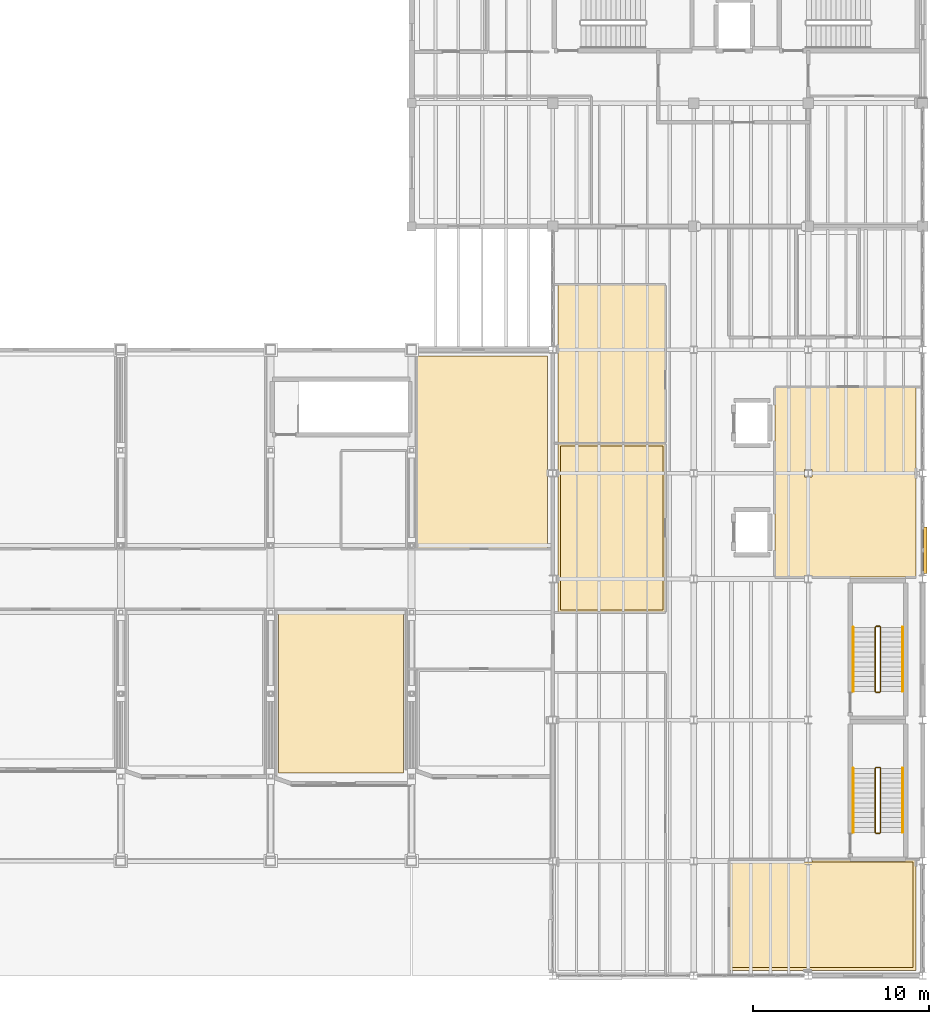
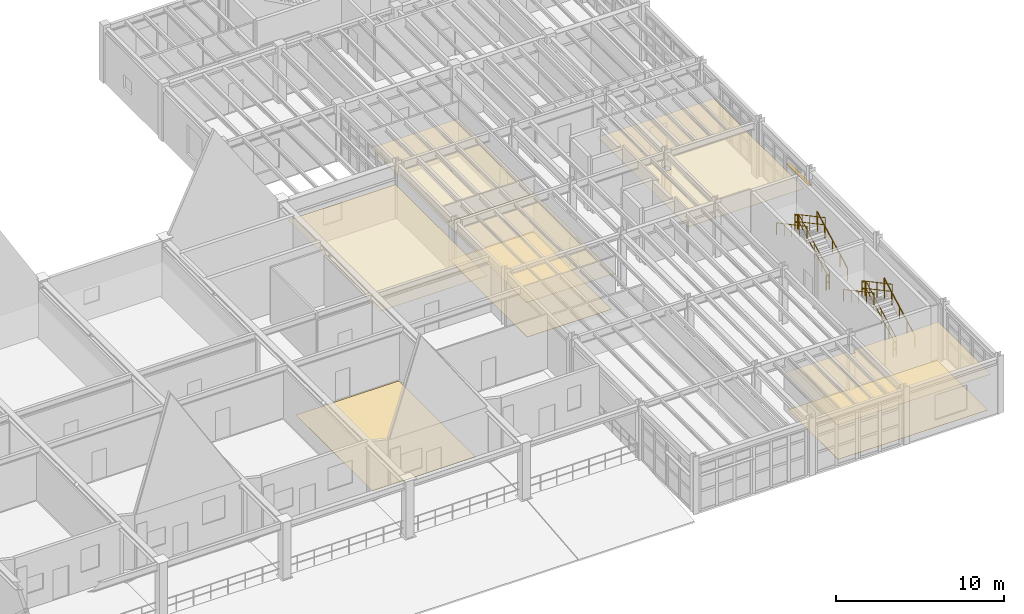
# One storey, part 77 of 78: 12 railings, 8 coverings, 1 shading device.
"""IFC4 building model written with IfcOpenShell, lengths in metres."""

import ifcopenshell
import ifcopenshell.guid

model = None  # the IFC model being written
_history = None  # IfcOwnerHistory: only IFC2X3 demands one
_inside = {}  # id of a spatial element -> (the spatial element, [elements in it])
_under = {}  # id of a project, library or spatial element -> (it, [spatial elements below it])
_declared = {}  # id of a project -> (the project, [libraries it declares])
_typed = {}  # id of a type object -> (the type object, [elements of that type])
_made_of = {}  # id of a material, layer set ... -> (it, [elements and type objects made of it])


def new_model(schema):
    """Start an empty IFC model of exactly this schema.

    Asked for "IFC4X3", IfcOpenShell would pick the latest addendum, in which some entities
    have other attributes; the version numbers below select the first issue.
    IFC2X3 requires an IfcOwnerHistory on every rooted entity: one is made here for all.
    """
    global model, _history
    if schema == "IFC4X3":
        model = ifcopenshell.file(schema_version=(4, 3, 0, 0))
    else:
        model = ifcopenshell.file(schema=schema)
    _inside.clear()
    _under.clear()
    _declared.clear()
    _typed.clear()
    _made_of.clear()
    _history = None
    if model.schema == "IFC2X3":
        org = make("IfcOrganization", Name="unknown")
        user = make(
            "IfcPersonAndOrganization",
            ThePerson=make("IfcPerson", FamilyName="unknown"),
            TheOrganization=org,
        )
        app = make(
            "IfcApplication",
            ApplicationDeveloper=org,
            Version="unknown",
            ApplicationFullName="unknown",
            ApplicationIdentifier="unknown",
        )
        _history = make(
            "IfcOwnerHistory",
            OwningUser=user,
            OwningApplication=app,
            ChangeAction="ADDED",
            CreationDate=0,
        )
    return model


def make(cls, **values):
    """One entity of the class cls with the attributes given. An attribute that is None is left unset."""
    return model.create_entity(
        cls, **{name: value for name, value in values.items() if value is not None}
    )


def rooted(cls, **values):
    """An entity with a GlobalId (a new one), such as an element, a storey or a relation."""
    return make(cls, GlobalId=ifcopenshell.guid.new(), OwnerHistory=_history, **values)


def si_unit(unit_type, name, prefix=None):
    """IfcSIUnit, for example si_unit("LENGTHUNIT", "METRE", prefix="MILLI")."""
    return make("IfcSIUnit", UnitType=unit_type, Prefix=prefix, Name=name)


def assignment(units):
    """IfcUnitAssignment: the units of a project."""
    return None if units is None else make("IfcUnitAssignment", Units=units)


def point(xyz):
    """IfcCartesianPoint."""
    return None if xyz is None else make("IfcCartesianPoint", Coordinates=xyz)


def direction(xyz):
    """IfcDirection."""
    return None if xyz is None else make("IfcDirection", DirectionRatios=xyz)


def frame(location, z_axis=None, x_axis=None):
    """IfcAxis2Placement3D, a coordinate frame: its origin and axes. An axis left out is left unset."""
    return make(
        "IfcAxis2Placement3D",
        Location=point(location),
        Axis=direction(z_axis),
        RefDirection=direction(x_axis),
    )


def frame_2d(location, x_axis=None):
    """IfcAxis2Placement2D, a coordinate frame in the plane: its origin and x axis."""
    return make(
        "IfcAxis2Placement2D", Location=point(location), RefDirection=direction(x_axis)
    )


def origin():
    """The frame at (0, 0, 0) with its axes left unset."""
    return frame((0.0, 0.0, 0.0))


def origin_2d():
    """The frame at (0, 0) in the plane with its x axis left unset."""
    return frame_2d((0.0, 0.0))


def place(relative_to, where):
    """IfcLocalPlacement: puts the frame where relative to a parent placement (None: the world)."""
    return make(
        "IfcLocalPlacement", PlacementRelTo=relative_to, RelativePlacement=where
    )


def context(
    kind, dimensions, precision=None, world=None, true_north=None, identifier=None
):
    """IfcGeometricRepresentationContext, for example the 3D "Model" context."""
    return make(
        "IfcGeometricRepresentationContext",
        ContextIdentifier=identifier,
        ContextType=kind,
        CoordinateSpaceDimension=dimensions,
        Precision=precision,
        WorldCoordinateSystem=world,
        TrueNorth=true_north,
    )


def subcontext(parent, identifier, kind, view, scale=None):
    """IfcGeometricRepresentationSubContext, for example "Body" below "Model"."""
    return make(
        "IfcGeometricRepresentationSubContext",
        ContextIdentifier=identifier,
        ContextType=kind,
        ParentContext=parent,
        TargetScale=scale,
        TargetView=view,
    )


def project(units=None, contexts=None):
    """IfcProject with its units and contexts."""
    return rooted(
        "IfcProject",
        Name="project",
        RepresentationContexts=contexts,
        UnitsInContext=assignment(units),
    )


def spatial(cls, under=None, at=None, **own):
    """A site, building, storey or space (cls), placed at a placement, below another one or the project."""
    s = rooted(cls, ObjectPlacement=at, **own)
    if under is not None:
        _under.setdefault(under.id(), (under, []))[1].append(s)
    return s


def polyline(points):
    """IfcPolyline through the points."""
    return make("IfcPolyline", Points=[point(p) for p in points])


def profile(cls, at=None, kind="AREA", **sizes):
    """A parametric profile (cls). Its sizes go by their IFC names, for example OverallWidth=200.0."""
    return make(cls, ProfileType=kind, Position=at, **sizes)


def rectangle(**sizes):
    """IfcRectangleProfileDef."""
    return profile("IfcRectangleProfileDef", **sizes)


def circle(**sizes):
    """IfcCircleProfileDef."""
    return profile("IfcCircleProfileDef", **sizes)


def outline(outer, holes=None, kind="AREA"):
    """IfcArbitraryClosedProfileDef: a profile drawn as a closed curve; with holes, ...WithVoids."""
    if holes is None:
        return make("IfcArbitraryClosedProfileDef", ProfileType=kind, OuterCurve=outer)
    return make(
        "IfcArbitraryProfileDefWithVoids",
        ProfileType=kind,
        OuterCurve=outer,
        InnerCurves=holes,
    )


def extrude(swept, where, along, depth):
    """IfcExtrudedAreaSolid: the profile swept, set in the frame where, extruded along a direction by depth."""
    return make(
        "IfcExtrudedAreaSolid",
        SweptArea=swept,
        Position=where,
        ExtrudedDirection=direction(along),
        Depth=depth,
    )


def shape(context_of_items, identifier, shape_type, items):
    """IfcShapeRepresentation: the items that make up one representation, for example the "Body"."""
    return make(
        "IfcShapeRepresentation",
        ContextOfItems=context_of_items,
        RepresentationIdentifier=identifier,
        RepresentationType=shape_type,
        Items=items,
    )


def material(Name=None, Category=None):
    """IfcMaterial."""
    return make("IfcMaterial", Name=Name, Category=Category)


def layer(
    of_material, thickness, ventilated=None, Name=None, Category=None, Priority=None
):
    """IfcMaterialLayer: one layer of a wall or slab, of a material (None: an air gap)."""
    return make(
        "IfcMaterialLayer",
        Material=of_material,
        LayerThickness=thickness,
        IsVentilated=ventilated,
        Name=Name,
        Category=Category,
        Priority=Priority,
    )


def layer_set(layers, Name=None):
    """IfcMaterialLayerSet."""
    return make("IfcMaterialLayerSet", MaterialLayers=layers, LayerSetName=Name)


def made_of(thing, what):
    """Note that an element or type object is made of a material, layer set ...; save() writes the relation."""
    if what is not None:
        _made_of.setdefault(what.id(), (what, []))[1].append(thing)
    return thing


def type_object(cls, material=None, **own):
    """A type object (cls), such as IfcWallType, which elements share."""
    return made_of(rooted(cls, **own), material)


def element(
    cls,
    number,
    at=None,
    inside=None,
    cuts=None,
    type_object=None,
    material=None,
    context=None,
    identifier="Body",
    shape_type=None,
    held_by="IfcProductDefinitionShape",
    body=None,
    shapes=None,
    **own,
):
    """One element of the class cls, such as IfcWall. Its Tag is "e" and its number.

    at: its placement. inside: the storey or other place that contains it. cuts: it is an
    opening in that element (IfcRelVoidsElement). A single representation is given by context,
    identifier, shape_type and body (its items); several are given by shapes. held_by: the class
    of the entity that holds the representations. save() writes the other relations.
    """
    e = rooted(cls, Tag="e%d" % number, ObjectPlacement=at, **own)
    if body is not None:
        shapes = [shape(context, identifier, shape_type, body)]
    if shapes is not None:
        e.Representation = make(held_by, Representations=shapes)
    if inside is not None:
        _inside.setdefault(inside.id(), (inside, []))[1].append(e)
    if cuts is not None:
        rooted(
            "IfcRelVoidsElement", RelatingBuildingElement=cuts, RelatedOpeningElement=e
        )
    if type_object is not None:
        _typed.setdefault(type_object.id(), (type_object, []))[1].append(e)
    return made_of(e, material)


def aggregate(whole, parts):
    """IfcRelAggregates: a whole, such as a stair, and the parts it consists of."""
    return rooted("IfcRelAggregates", RelatingObject=whole, RelatedObjects=parts)


def save(model, path):
    """Write the relations noted so far, then the file.

    IfcRelAggregates (storeys below a building ...), IfcRelContainedInSpatialStructure (elements
    in a storey), IfcRelDefinesByType, IfcRelAssociatesMaterial and IfcRelDeclares: one each for
    every whole, place, type object, material and project.
    """
    for whole, parts in _under.values():
        aggregate(whole, parts)
    for where, things in _inside.values():
        rooted(
            "IfcRelContainedInSpatialStructure",
            RelatedElements=things,
            RelatingStructure=where,
        )
    for kind, things in _typed.values():
        rooted("IfcRelDefinesByType", RelatedObjects=things, RelatingType=kind)
    for what, things in _made_of.values():
        rooted("IfcRelAssociatesMaterial", RelatedObjects=things, RelatingMaterial=what)
    for by, libraries in _declared.values():
        rooted("IfcRelDeclares", RelatingContext=by, RelatedDefinitions=libraries)
    model.write(path)


model = new_model("IFC4")

# Units and contexts
model_context = context("Model", 3, precision=1e-05, world=origin(), true_north=direction((0.0, 1.0)))
body_context = subcontext(model_context, "Body", "Model", "MODEL_VIEW")
ifc_project = project(units=[si_unit("LENGTHUNIT", "METRE"), si_unit("AREAUNIT", "SQUARE_METRE"), si_unit("VOLUMEUNIT", "CUBIC_METRE"), si_unit("PLANEANGLEUNIT", "RADIAN"), si_unit("MASSUNIT", "GRAM", prefix="KILO"), si_unit("THERMODYNAMICTEMPERATUREUNIT", "KELVIN"), si_unit("POWERUNIT", "WATT")], contexts=[model_context])

# Site, building, storey
site_placement = place(None, origin())
site = spatial("IfcSite", under=ifc_project, at=site_placement, CompositionType="ELEMENT")
building_placement = place(site_placement, origin())
building = spatial("IfcBuilding", under=site, at=building_placement, Name="Zhenchuan Central Fire Station", CompositionType="ELEMENT")
storey_placement = place(building_placement, frame((0.0, 0.0, 5.85009765625)))
storey = spatial("IfcBuildingStorey", under=building, at=storey_placement, Name="L02", CompositionType="ELEMENT", Elevation=5.85009765625)

# Coverings
ifc_material_1 = material(Name="Gypsum plasterboard acoustic ceiling", Category="gypsum")
ifc_layer_1 = layer(ifc_material_1, 0.01806640625, Name="Gypsum plasterboard acoustic ceiling", Category="gypsum")
ifc_layer_set_1 = layer_set([ifc_layer_1], Name="Gypsum plasterboard acoustic ceiling")
covering_type_1 = type_object("IfcCoveringType", Name="COV-CEIL-GYP", PredefinedType="CEILING", material=ifc_layer_set_1)
covering_1_placement = place(storey_placement, frame((0.0, 0.0, 2.64990234375)))
element("IfcCovering", 1, at=covering_1_placement, inside=storey, type_object=covering_type_1, Name="Duty Platoon Office Acoustic Ceiling", PredefinedType="CEILING", context=body_context, shape_type="SweptSolid", body=[
    extrude(outline(polyline([(132.300048828125, 24.199951171875), (132.300048828125, 35.14990234375), (139.699951171875, 35.14990234375), (139.699951171875, 24.199951171875), (132.300048828125, 24.199951171875)])), origin(), (0.0, 0.0, 1.0), 0.01806640625),
])
covering_2_placement = place(storey_placement, frame((0.0, 0.0, 2.64990234375)))
element("IfcCovering", 2, at=covering_2_placement, inside=storey, type_object=covering_type_1, Name="Operations Planning Office Acoustic Ceiling", PredefinedType="CEILING", context=body_context, shape_type="SweptSolid", body=[
    extrude(outline(polyline([(140.300048828125, 20.60009765625), (140.300048828125, 30.199951171875), (146.39990234375, 30.199951171875), (146.39990234375, 20.60009765625), (140.300048828125, 20.60009765625)])), origin(), (0.0, 0.0, 1.0), 0.01806640625),
])
covering_3_placement = place(storey_placement, frame((0.0, 0.0, 2.64990234375)))
element("IfcCovering", 3, at=covering_3_placement, inside=storey, type_object=covering_type_1, Name="Logistics and Fleet Management Office Acoustic Ceiling", PredefinedType="CEILING", context=body_context, shape_type="SweptSolid", body=[
    extrude(outline(polyline([(140.300048828125, 30.199951171875), (140.300048828125, 39.199951171875), (146.39990234375, 39.199951171875), (146.39990234375, 30.199951171875), (140.300048828125, 30.199951171875)])), origin(), (0.0, 0.0, 1.0), 0.01806640625),
])
covering_4_placement = place(storey_placement, frame((0.0, 0.0, 2.64990234375)))
element("IfcCovering", 4, at=covering_4_placement, inside=storey, type_object=covering_type_1, Name="Personnel and Finance Office Acoustic Ceiling", PredefinedType="CEILING", context=body_context, shape_type="SweptSolid", body=[
    extrude(outline(polyline([(160.60009765625, 6.60009765625), (160.60009765625, 0.300048828125), (150.0, 0.300048828125), (150.0, 6.60009765625), (154.294921875, 6.60009765625), (154.294921875, 6.294921875), (154.705078125, 6.294921875), (154.705078125, 6.60009765625), (160.60009765625, 6.60009765625)])), origin(), (0.0, 0.0, 1.0), 0.01806640625),
])
covering_5_placement = place(storey_placement, frame((0.0, 0.0, 2.64990234375)))
element("IfcCovering", 5, at=covering_5_placement, inside=storey, type_object=covering_type_1, Name="Staff Briefing Room Acoustic Ceiling", PredefinedType="CEILING", context=body_context, shape_type="SweptSolid", body=[
    extrude(outline(polyline([(152.60009765625, 22.60009765625), (152.60009765625, 33.39990234375), (160.60009765625, 33.39990234375), (160.60009765625, 22.60009765625), (154.705078125, 22.60009765625), (154.705078125, 22.705078125), (154.294921875, 22.705078125), (154.294921875, 22.60009765625), (152.60009765625, 22.60009765625)]), holes=[polyline([(154.705078125, 28.294921875), (154.705078125, 28.705078125), (154.294921875, 28.705078125), (154.294921875, 28.294921875), (154.705078125, 28.294921875)])]), origin(), (0.0, 0.0, 1.0), 0.01806640625),
])
ifc_material_2 = material(Name="Heavy-duty slip-resistant ceramic tile flooring")
ifc_layer_2 = layer(ifc_material_2, 0.014892578125, Name="Heavy-duty slip-resistant ceramic tile flooring")
ifc_layer_set_2 = layer_set([ifc_layer_2], Name="Heavy-duty slip-resistant ceramic tile flooring")
covering_type_2 = type_object("IfcCoveringType", Name="COV-FLR-RES", PredefinedType="FLOORING", material=ifc_layer_set_2)
covering_6_placement = place(storey_placement, origin())
element("IfcCovering", 6, at=covering_6_placement, inside=storey, type_object=covering_type_2, Name="Swiftwater Rescue Gear Room Ceramic Tile Flooring", PredefinedType="FLOORING", context=body_context, shape_type="SweptSolid", body=[
    extrude(outline(polyline([(124.449951171875, 11.5), (131.550048828125, 11.5), (131.550048828125, 20.64990234375), (124.449951171875, 20.64990234375), (124.449951171875, 11.5)])), origin(), (0.0, 0.0, 1.0), 0.014892578125),
])
covering_7_placement = place(storey_placement, origin())
element("IfcCovering", 7, at=covering_7_placement, inside=storey, type_object=covering_type_2, Name="Operations Planning Office Ceramic Tile Flooring", PredefinedType="FLOORING", context=body_context, shape_type="SweptSolid", body=[
    extrude(outline(polyline([(140.449951171875, 20.75), (146.25, 20.75), (146.25, 30.050048828125), (140.449951171875, 30.050048828125), (140.449951171875, 20.75)])), origin(), (0.0, 0.0, 1.0), 0.014892578125),
])
covering_8_placement = place(storey_placement, origin())
element("IfcCovering", 8, at=covering_8_placement, inside=storey, type_object=covering_type_2, Name="Personnel and Finance Office Ceramic Tile Flooring", PredefinedType="FLOORING", context=body_context, shape_type="SweptSolid", body=[
    extrude(outline(polyline([(150.14990234375, 0.449951171875), (160.449951171875, 0.449951171875), (160.449951171875, 6.449951171875), (150.14990234375, 6.449951171875), (150.14990234375, 0.449951171875)])), origin(), (0.0, 0.0, 1.0), 0.014892578125),
])

# Railings
ifc_material_3 = material(Name="Galvanised powder-coated steel", Category="steel")
railing_type_1 = type_object("IfcRailingType", Name="RL-ST-GRD", PredefinedType="GUARDRAIL", material=ifc_material_3)
railing_1_placement = place(storey_placement, frame((158.60009765625, 8.1201171875, 0.14990234375)))
element("IfcRailing", 9, at=railing_1_placement, inside=storey, type_object=railing_type_1, Name="L02 ST-10 stair guard 1", PredefinedType="GUARDRAIL", context=body_context, shape_type="SweptSolid", body=[
    extrude(circle(Radius=0.02392578125, at=origin_2d()), frame((0.0, 0.0, 1.076171875), z_axis=(0.0, 0.881479091078, 0.472223053219), x_axis=(-1.0, 0.0, 0.0)), (0.0, 0.0, 1.0), 4.12939453125),
    extrude(circle(Radius=0.02392578125, at=origin_2d()), frame((0.0, 0.0, 0.550048828125), z_axis=(0.0, 0.881479091078, 0.472223053219), x_axis=(-1.0, 0.0, 0.0)), (0.0, 0.0, 1.0), 4.12939453125),
    extrude(circle(Radius=0.02099609375, at=origin_2d()), origin(), (0.0, 0.0, 1.0), 1.052001953125),
    extrude(circle(Radius=0.02099609375, at=origin_2d()), frame((0.0, 0.909912109375, 0.487548828125)), (0.0, 0.0, 1.0), 1.052001953125),
    extrude(circle(Radius=0.02099609375, at=origin_2d()), frame((0.0, 1.81982421875, 0.97509765625)), (0.0, 0.0, 1.0), 1.052001953125),
    extrude(circle(Radius=0.02099609375, at=origin_2d()), frame((0.0, 2.72998046875, 1.46240234375)), (0.0, 0.0, 1.0), 1.052001953125),
    extrude(circle(Radius=0.02099609375, at=origin_2d()), frame((0.0, 3.639892578125, 1.949951171875)), (0.0, 0.0, 1.0), 1.052001953125),
])
railing_2_placement = place(storey_placement, frame((158.550048828125, 11.81005859375, 2.099853515625)))
element("IfcRailing", 10, at=railing_2_placement, inside=storey, type_object=railing_type_1, Name="L02 ST-10 stair guard 2", PredefinedType="GUARDRAIL", context=body_context, shape_type="SweptSolid", body=[
    extrude(circle(Radius=0.02392578125, at=origin_2d()), frame((0.0, 0.0, 1.076171875), z_axis=(-1.0, 0.0, 0.0), x_axis=(0.0, -1.0, 0.0)), (0.0, 0.0, 1.0), 0.199951171875),
    extrude(circle(Radius=0.02392578125, at=origin_2d()), frame((0.0, 0.0, 0.550048828125), z_axis=(-1.0, 0.0, 0.0), x_axis=(0.0, -1.0, 0.0)), (0.0, 0.0, 1.0), 0.199951171875),
    extrude(circle(Radius=0.02099609375, at=origin_2d()), origin(), (0.0, 0.0, 1.0), 1.052001953125),
    extrude(circle(Radius=0.02099609375, at=origin_2d()), frame((-0.199951171875, 0.0, 0.0)), (0.0, 0.0, 1.0), 1.052001953125),
])
railing_3_placement = place(storey_placement, frame((158.300048828125, 11.760009765625, 2.25)))
element("IfcRailing", 11, at=railing_3_placement, inside=storey, type_object=railing_type_1, Name="L02 ST-10 stair guard 3", PredefinedType="GUARDRAIL", context=body_context, shape_type="SweptSolid", body=[
    extrude(circle(Radius=0.02392578125, at=origin_2d()), frame((0.0, 0.0, 1.076171875), z_axis=(0.0, -0.881479091078, 0.472223053219), x_axis=(1.0, 0.0, 0.0)), (0.0, 0.0, 1.0), 4.12939453125),
    extrude(circle(Radius=0.02392578125, at=origin_2d()), frame((0.0, 0.0, 0.550048828125), z_axis=(0.0, -0.881479091078, 0.472223053219), x_axis=(1.0, 0.0, 0.0)), (0.0, 0.0, 1.0), 4.12939453125),
    extrude(circle(Radius=0.02099609375, at=origin_2d()), origin(), (0.0, 0.0, 1.0), 1.052001953125),
    extrude(circle(Radius=0.02099609375, at=origin_2d()), frame((0.0, -0.909912109375, 0.487548828125)), (0.0, 0.0, 1.0), 1.052001953125),
    extrude(circle(Radius=0.02099609375, at=origin_2d()), frame((0.0, -1.81982421875, 0.97509765625)), (0.0, 0.0, 1.0), 1.052001953125),
    extrude(circle(Radius=0.02099609375, at=origin_2d()), frame((0.0, -2.72998046875, 1.46240234375)), (0.0, 0.0, 1.0), 1.052001953125),
    extrude(circle(Radius=0.02099609375, at=origin_2d()), frame((0.0, -3.639892578125, 1.949951171875)), (0.0, 0.0, 1.0), 1.052001953125),
])
railing_4_placement = place(storey_placement, frame((158.550048828125, 8.070068359375, 0.0)))
element("IfcRailing", 12, at=railing_4_placement, inside=storey, type_object=railing_type_1, Name="L02 ST-10 stair guard 4", PredefinedType="GUARDRAIL", context=body_context, shape_type="SweptSolid", body=[
    extrude(circle(Radius=0.02392578125, at=origin_2d()), frame((0.0, 0.0, 1.076171875), z_axis=(-1.0, 0.0, 0.0), x_axis=(0.0, -1.0, 0.0)), (0.0, 0.0, 1.0), 0.199951171875),
    extrude(circle(Radius=0.02392578125, at=origin_2d()), frame((0.0, 0.0, 0.550048828125), z_axis=(-1.0, 0.0, 0.0), x_axis=(0.0, -1.0, 0.0)), (0.0, 0.0, 1.0), 0.199951171875),
    extrude(circle(Radius=0.02099609375, at=origin_2d()), origin(), (0.0, 0.0, 1.0), 1.052001953125),
    extrude(circle(Radius=0.02099609375, at=origin_2d()), frame((-0.199951171875, 0.0, 0.0)), (0.0, 0.0, 1.0), 1.052001953125),
])
railing_5_placement = place(storey_placement, frame((158.60009765625, 16.1201171875, 0.14990234375)))
element("IfcRailing", 13, at=railing_5_placement, inside=storey, type_object=railing_type_1, Name="L02 ST-11 stair guard 1", PredefinedType="GUARDRAIL", context=body_context, shape_type="SweptSolid", body=[
    extrude(circle(Radius=0.02392578125, at=origin_2d()), frame((0.0, 0.0, 1.076171875), z_axis=(0.0, 0.881479091078, 0.472223053219), x_axis=(-1.0, 0.0, 0.0)), (0.0, 0.0, 1.0), 4.12939453125),
    extrude(circle(Radius=0.02392578125, at=origin_2d()), frame((0.0, 0.0, 0.550048828125), z_axis=(0.0, 0.881479091078, 0.472223053219), x_axis=(-1.0, 0.0, 0.0)), (0.0, 0.0, 1.0), 4.12939453125),
    extrude(circle(Radius=0.02099609375, at=origin_2d()), origin(), (0.0, 0.0, 1.0), 1.052001953125),
    extrude(circle(Radius=0.02099609375, at=origin_2d()), frame((0.0, 0.909912109375, 0.487548828125)), (0.0, 0.0, 1.0), 1.052001953125),
    extrude(circle(Radius=0.02099609375, at=origin_2d()), frame((0.0, 1.81982421875, 0.97509765625)), (0.0, 0.0, 1.0), 1.052001953125),
    extrude(circle(Radius=0.02099609375, at=origin_2d()), frame((0.0, 2.72998046875, 1.46240234375)), (0.0, 0.0, 1.0), 1.052001953125),
    extrude(circle(Radius=0.02099609375, at=origin_2d()), frame((0.0, 3.639892578125, 1.949951171875)), (0.0, 0.0, 1.0), 1.052001953125),
])
railing_6_placement = place(storey_placement, frame((158.550048828125, 19.81005859375, 2.099853515625)))
element("IfcRailing", 14, at=railing_6_placement, inside=storey, type_object=railing_type_1, Name="L02 ST-11 stair guard 2", PredefinedType="GUARDRAIL", context=body_context, shape_type="SweptSolid", body=[
    extrude(circle(Radius=0.02392578125, at=origin_2d()), frame((0.0, 0.0, 1.076171875), z_axis=(-1.0, 0.0, 0.0), x_axis=(0.0, -1.0, 0.0)), (0.0, 0.0, 1.0), 0.199951171875),
    extrude(circle(Radius=0.02392578125, at=origin_2d()), frame((0.0, 0.0, 0.550048828125), z_axis=(-1.0, 0.0, 0.0), x_axis=(0.0, -1.0, 0.0)), (0.0, 0.0, 1.0), 0.199951171875),
    extrude(circle(Radius=0.02099609375, at=origin_2d()), origin(), (0.0, 0.0, 1.0), 1.052001953125),
    extrude(circle(Radius=0.02099609375, at=origin_2d()), frame((-0.199951171875, 0.0, 0.0)), (0.0, 0.0, 1.0), 1.052001953125),
])
railing_7_placement = place(storey_placement, frame((158.300048828125, 19.760009765625, 2.25)))
element("IfcRailing", 15, at=railing_7_placement, inside=storey, type_object=railing_type_1, Name="L02 ST-11 stair guard 3", PredefinedType="GUARDRAIL", context=body_context, shape_type="SweptSolid", body=[
    extrude(circle(Radius=0.02392578125, at=origin_2d()), frame((0.0, 0.0, 1.076171875), z_axis=(0.0, -0.881479091078, 0.472223053219), x_axis=(1.0, 0.0, 0.0)), (0.0, 0.0, 1.0), 4.12939453125),
    extrude(circle(Radius=0.02392578125, at=origin_2d()), frame((0.0, 0.0, 0.550048828125), z_axis=(0.0, -0.881479091078, 0.472223053219), x_axis=(1.0, 0.0, 0.0)), (0.0, 0.0, 1.0), 4.12939453125),
    extrude(circle(Radius=0.02099609375, at=origin_2d()), origin(), (0.0, 0.0, 1.0), 1.052001953125),
    extrude(circle(Radius=0.02099609375, at=origin_2d()), frame((0.0, -0.909912109375, 0.487548828125)), (0.0, 0.0, 1.0), 1.052001953125),
    extrude(circle(Radius=0.02099609375, at=origin_2d()), frame((0.0, -1.81982421875, 0.97509765625)), (0.0, 0.0, 1.0), 1.052001953125),
    extrude(circle(Radius=0.02099609375, at=origin_2d()), frame((0.0, -2.72998046875, 1.46240234375)), (0.0, 0.0, 1.0), 1.052001953125),
    extrude(circle(Radius=0.02099609375, at=origin_2d()), frame((0.0, -3.639892578125, 1.949951171875)), (0.0, 0.0, 1.0), 1.052001953125),
])
railing_8_placement = place(storey_placement, frame((158.550048828125, 16.070068359375, 0.0)))
element("IfcRailing", 16, at=railing_8_placement, inside=storey, type_object=railing_type_1, Name="L02 ST-11 stair guard 4", PredefinedType="GUARDRAIL", context=body_context, shape_type="SweptSolid", body=[
    extrude(circle(Radius=0.02392578125, at=origin_2d()), frame((0.0, 0.0, 1.076171875), z_axis=(-1.0, 0.0, 0.0), x_axis=(0.0, -1.0, 0.0)), (0.0, 0.0, 1.0), 0.199951171875),
    extrude(circle(Radius=0.02392578125, at=origin_2d()), frame((0.0, 0.0, 0.550048828125), z_axis=(-1.0, 0.0, 0.0), x_axis=(0.0, -1.0, 0.0)), (0.0, 0.0, 1.0), 0.199951171875),
    extrude(circle(Radius=0.02099609375, at=origin_2d()), origin(), (0.0, 0.0, 1.0), 1.052001953125),
    extrude(circle(Radius=0.02099609375, at=origin_2d()), frame((-0.199951171875, 0.0, 0.0)), (0.0, 0.0, 1.0), 1.052001953125),
])
ifc_material_4 = material(Name="Brushed stainless steel handrail", Category="steel")
railing_type_2 = type_object("IfcRailingType", Name="RL-ST-HND", PredefinedType="HANDRAIL", material=ifc_material_4)
railing_9_placement = place(storey_placement, frame((159.85009765625, 8.1201171875, 0.14990234375)))
element("IfcRailing", 17, at=railing_9_placement, inside=storey, type_object=railing_type_2, Name="L02 ST-10 stair handrail 1", PredefinedType="HANDRAIL", context=body_context, shape_type="SweptSolid", body=[
    extrude(circle(Radius=0.02392578125, at=origin_2d()), frame((0.0, 0.0, 0.8759765625), z_axis=(0.0, 0.881479091078, 0.472223053219), x_axis=(-1.0, 0.0, 0.0)), (0.0, 0.0, 1.0), 4.12939453125),
    extrude(circle(Radius=0.02099609375, at=origin_2d()), origin(), (0.0, 0.0, 1.0), 0.851806640625),
    extrude(circle(Radius=0.02099609375, at=origin_2d()), frame((0.0, 0.909912109375, 0.487548828125)), (0.0, 0.0, 1.0), 0.851806640625),
    extrude(circle(Radius=0.02099609375, at=origin_2d()), frame((0.0, 1.81982421875, 0.97509765625)), (0.0, 0.0, 1.0), 0.851806640625),
    extrude(circle(Radius=0.02099609375, at=origin_2d()), frame((0.0, 2.72998046875, 1.46240234375)), (0.0, 0.0, 1.0), 0.851806640625),
    extrude(circle(Radius=0.02099609375, at=origin_2d()), frame((0.0, 3.639892578125, 1.949951171875)), (0.0, 0.0, 1.0), 0.851806640625),
])
railing_10_placement = place(storey_placement, frame((157.050048828125, 11.760009765625, 2.25)))
element("IfcRailing", 18, at=railing_10_placement, inside=storey, type_object=railing_type_2, Name="L02 ST-10 stair handrail 2", PredefinedType="HANDRAIL", context=body_context, shape_type="SweptSolid", body=[
    extrude(circle(Radius=0.02392578125, at=origin_2d()), frame((0.0, 0.0, 0.8759765625), z_axis=(0.0, -0.881479091078, 0.472223053219), x_axis=(1.0, 0.0, 0.0)), (0.0, 0.0, 1.0), 4.12939453125),
    extrude(circle(Radius=0.02099609375, at=origin_2d()), origin(), (0.0, 0.0, 1.0), 0.851806640625),
    extrude(circle(Radius=0.02099609375, at=origin_2d()), frame((0.0, -0.909912109375, 0.487548828125)), (0.0, 0.0, 1.0), 0.851806640625),
    extrude(circle(Radius=0.02099609375, at=origin_2d()), frame((0.0, -1.81982421875, 0.97509765625)), (0.0, 0.0, 1.0), 0.851806640625),
    extrude(circle(Radius=0.02099609375, at=origin_2d()), frame((0.0, -2.72998046875, 1.46240234375)), (0.0, 0.0, 1.0), 0.851806640625),
    extrude(circle(Radius=0.02099609375, at=origin_2d()), frame((0.0, -3.639892578125, 1.949951171875)), (0.0, 0.0, 1.0), 0.851806640625),
])
railing_11_placement = place(storey_placement, frame((159.85009765625, 16.1201171875, 0.14990234375)))
element("IfcRailing", 19, at=railing_11_placement, inside=storey, type_object=railing_type_2, Name="L02 ST-11 stair handrail 1", PredefinedType="HANDRAIL", context=body_context, shape_type="SweptSolid", body=[
    extrude(circle(Radius=0.02392578125, at=origin_2d()), frame((0.0, 0.0, 0.8759765625), z_axis=(0.0, 0.881479091078, 0.472223053219), x_axis=(-1.0, 0.0, 0.0)), (0.0, 0.0, 1.0), 4.12939453125),
    extrude(circle(Radius=0.02099609375, at=origin_2d()), origin(), (0.0, 0.0, 1.0), 0.851806640625),
    extrude(circle(Radius=0.02099609375, at=origin_2d()), frame((0.0, 0.909912109375, 0.487548828125)), (0.0, 0.0, 1.0), 0.851806640625),
    extrude(circle(Radius=0.02099609375, at=origin_2d()), frame((0.0, 1.81982421875, 0.97509765625)), (0.0, 0.0, 1.0), 0.851806640625),
    extrude(circle(Radius=0.02099609375, at=origin_2d()), frame((0.0, 2.72998046875, 1.46240234375)), (0.0, 0.0, 1.0), 0.851806640625),
    extrude(circle(Radius=0.02099609375, at=origin_2d()), frame((0.0, 3.639892578125, 1.949951171875)), (0.0, 0.0, 1.0), 0.851806640625),
])
railing_12_placement = place(storey_placement, frame((157.050048828125, 19.760009765625, 2.25)))
element("IfcRailing", 20, at=railing_12_placement, inside=storey, type_object=railing_type_2, Name="L02 ST-11 stair handrail 2", PredefinedType="HANDRAIL", context=body_context, shape_type="SweptSolid", body=[
    extrude(circle(Radius=0.02392578125, at=origin_2d()), frame((0.0, 0.0, 0.8759765625), z_axis=(0.0, -0.881479091078, 0.472223053219), x_axis=(1.0, 0.0, 0.0)), (0.0, 0.0, 1.0), 4.12939453125),
    extrude(circle(Radius=0.02099609375, at=origin_2d()), origin(), (0.0, 0.0, 1.0), 0.851806640625),
    extrude(circle(Radius=0.02099609375, at=origin_2d()), frame((0.0, -0.909912109375, 0.487548828125)), (0.0, 0.0, 1.0), 0.851806640625),
    extrude(circle(Radius=0.02099609375, at=origin_2d()), frame((0.0, -1.81982421875, 0.97509765625)), (0.0, 0.0, 1.0), 0.851806640625),
    extrude(circle(Radius=0.02099609375, at=origin_2d()), frame((0.0, -2.72998046875, 1.46240234375)), (0.0, 0.0, 1.0), 0.851806640625),
    extrude(circle(Radius=0.02099609375, at=origin_2d()), frame((0.0, -3.639892578125, 1.949951171875)), (0.0, 0.0, 1.0), 0.851806640625),
])

# Shading device
ifc_material_5 = material(Name="Anodised aluminium EN AW-6063", Category="aluminium")
ifc_layer_3 = layer(ifc_material_5, 0.0400390625, Name="Anodised aluminium EN AW-6063", Category="aluminium")
ifc_layer_set_3 = layer_set([ifc_layer_3], Name="Anodised aluminium EN AW-6063")
shading_device_type = type_object("IfcShadingDeviceType", Name="SHD-ALU-FIN", PredefinedType="JALOUSIE", material=ifc_layer_set_3)
shading_device_placement = place(storey_placement, frame((161.138427734375, 24.131103515625, 2.554443359375), z_axis=(0.0, 0.0, 1.0), x_axis=(0.0, 1.0, 0.0)))
element("IfcShadingDevice", 21, at=shading_device_placement, inside=storey, type_object=shading_device_type, Name="Perforated Aluminium Sun-Shading Louvre 011", PredefinedType="JALOUSIE", context=body_context, shape_type="SweptSolid", body=[
    extrude(rectangle(XDim=2.6220703125, YDim=0.219970703125, at=origin_2d()), origin(), (0.0, 0.0, 1.0), 0.044921875),
])

save(model, "model.ifc")
